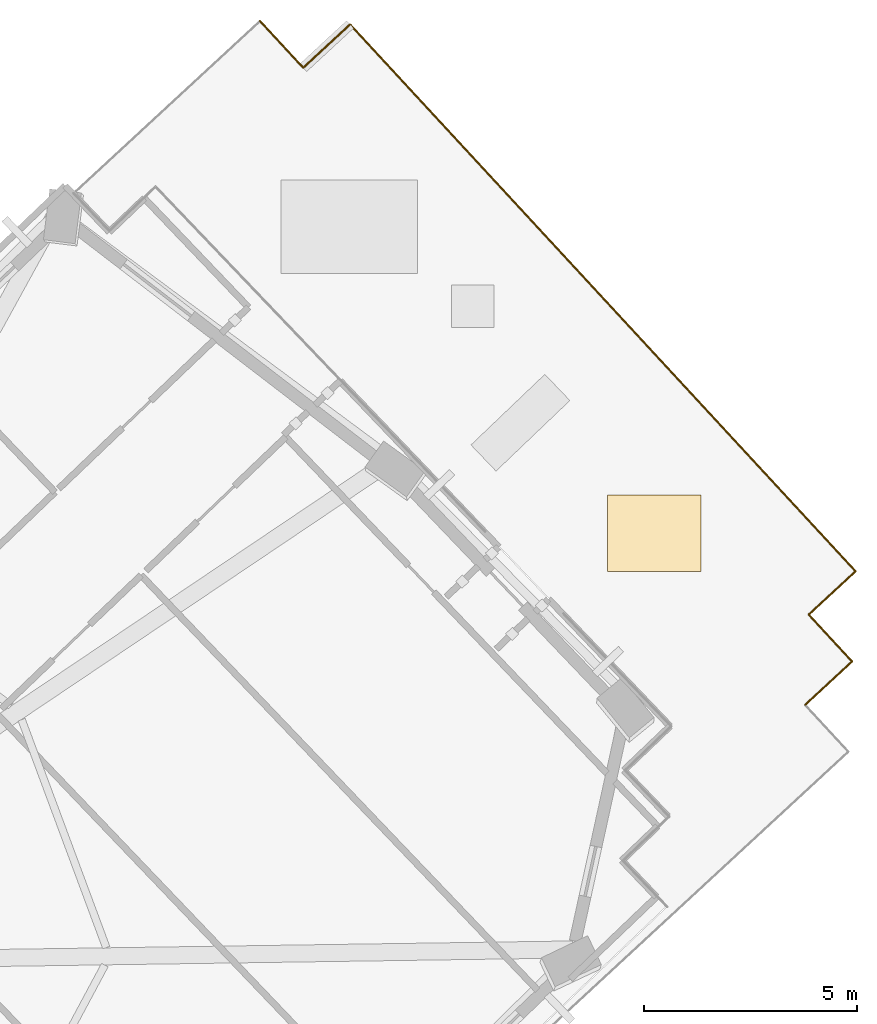
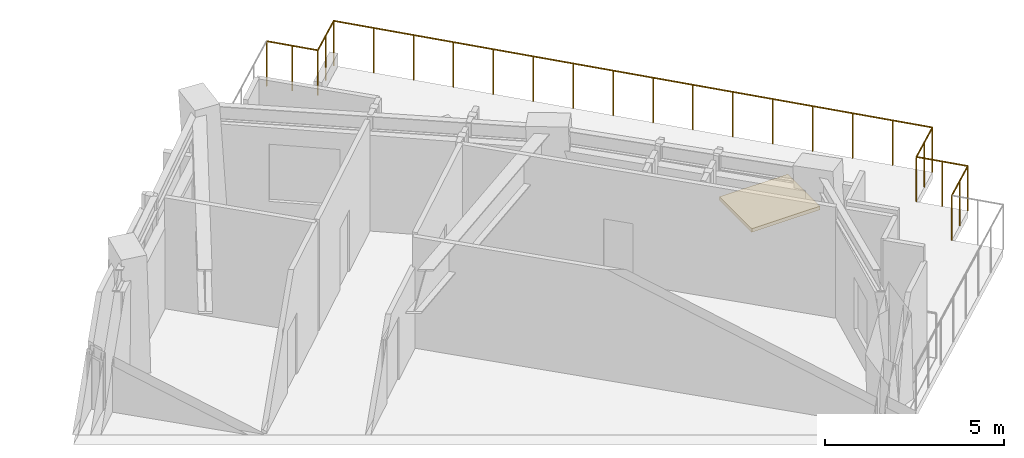
# One storey, part 17 of 17: 6 railings, 1 covering.
"""IFC4 building model written with IfcOpenShell, lengths in metres."""

from ifc_helpers import new_model, si_unit, direction, frame, origin, origin_2d, place, context, subcontext, project, spatial, rectangle, circle, extrude, material, layer, layer_set, type_object, element, save


model = new_model("IFC4")

# Units and contexts
model_context = context("Model", 3, precision=1e-05, world=origin(), true_north=direction((0.0, 1.0)))
body_context = subcontext(model_context, "Body", "Model", "MODEL_VIEW")
ifc_project = project(units=[si_unit("LENGTHUNIT", "METRE"), si_unit("AREAUNIT", "SQUARE_METRE"), si_unit("VOLUMEUNIT", "CUBIC_METRE"), si_unit("PLANEANGLEUNIT", "RADIAN"), si_unit("MASSUNIT", "GRAM", prefix="KILO")], contexts=[model_context])

# Site, building, storey
site_placement = place(None, origin())
site = spatial("IfcSite", under=ifc_project, at=site_placement, CompositionType="ELEMENT")
building_placement = place(site_placement, origin())
building = spatial("IfcBuilding", under=site, at=building_placement, Name="Gaonmaruhae Medical Tower", CompositionType="ELEMENT")
storey_placement = place(building_placement, frame((0.0, 0.0, 211.199951171875)))
storey = spatial("IfcBuildingStorey", under=building, at=storey_placement, Name="L50", CompositionType="ELEMENT", Elevation=211.199951171875)

# Railings
ifc_material_1 = material(Name="Stainless steel 316L and laminated safety glass", Category="steel")
ifc_layer_1 = layer(ifc_material_1, 0.080078125)
ifc_layer_set_1 = layer_set([ifc_layer_1], Name="Stainless steel 316L and laminated safety glass")
railing_type = type_object("IfcRailingType", Name="GD-155 Planter-Edge Raised Safety Balustrade", PredefinedType="BALUSTRADE", material=ifc_layer_set_1)
railing_1_placement = place(storey_placement, frame((51.095947265625, 37.841064453125, 0.0)))
element("IfcRailing", 1, at=railing_1_placement, inside=storey, type_object=railing_type, Name="L50 Terrace Safety Guard RL-SLB-L50-SKYG1-01", PredefinedType="BALUSTRADE", context=body_context, shape_type="SweptSolid", body=[
    extrude(circle(Radius=0.02392578125, at=origin_2d()), frame((0.0, 0.0, 1.52587890625), z_axis=(0.734391458886, 0.678726148837, 0.0), x_axis=(-0.678726148837, 0.734391458886, 0.0)), (0.0, 0.0, 1.0), 1.5),
    extrude(circle(Radius=0.02099609375, at=origin_2d()), origin(), (0.0, 0.0, 1.0), 1.501953125),
    extrude(circle(Radius=0.02099609375, at=origin_2d()), frame((0.55078125, 0.509033203125, 0.0)), (0.0, 0.0, 1.0), 1.501953125),
    extrude(circle(Radius=0.02099609375, at=origin_2d()), frame((1.1015625, 1.01806640625, 0.0)), (0.0, 0.0, 1.0), 1.501953125),
])
railing_2_placement = place(storey_placement, frame((52.197509765625, 38.859130859375, 0.0)))
element("IfcRailing", 2, at=railing_2_placement, inside=storey, type_object=railing_type, Name="L50 Terrace Safety Guard RL-SLB-L50-SKYG1-02", PredefinedType="BALUSTRADE", context=body_context, shape_type="SweptSolid", body=[
    extrude(circle(Radius=0.02392578125, at=origin_2d()), frame((0.0, 0.0, 1.52587890625), z_axis=(0.678799106174, -0.73432402484, 0.0), x_axis=(0.73432402484, 0.678799106174, 0.0)), (0.0, 0.0, 1.0), 17.5),
    extrude(circle(Radius=0.02099609375, at=origin_2d()), origin(), (0.0, 0.0, 1.0), 1.501953125),
    extrude(circle(Radius=0.02099609375, at=origin_2d()), frame((0.7919921875, -0.856689453125, 0.0)), (0.0, 0.0, 1.0), 1.501953125),
    extrude(circle(Radius=0.02099609375, at=origin_2d()), frame((1.583740234375, -1.71337890625, 0.0)), (0.0, 0.0, 1.0), 1.501953125),
    extrude(circle(Radius=0.02099609375, at=origin_2d()), frame((2.375732421875, -2.570068359375, 0.0)), (0.0, 0.0, 1.0), 1.501953125),
    extrude(circle(Radius=0.02099609375, at=origin_2d()), frame((3.167724609375, -3.4267578125, 0.0)), (0.0, 0.0, 1.0), 1.501953125),
    extrude(circle(Radius=0.02099609375, at=origin_2d()), frame((3.959716796875, -4.283447265625, 0.0)), (0.0, 0.0, 1.0), 1.501953125),
    extrude(circle(Radius=0.02099609375, at=origin_2d()), frame((4.75146484375, -5.14013671875, 0.0)), (0.0, 0.0, 1.0), 1.501953125),
    extrude(circle(Radius=0.02099609375, at=origin_2d()), frame((5.54345703125, -5.996826171875, 0.0)), (0.0, 0.0, 1.0), 1.501953125),
    extrude(circle(Radius=0.02099609375, at=origin_2d()), frame((6.33544921875, -6.853759765625, 0.0)), (0.0, 0.0, 1.0), 1.501953125),
    extrude(circle(Radius=0.02099609375, at=origin_2d()), frame((7.12744140625, -7.71044921875, 0.0)), (0.0, 0.0, 1.0), 1.501953125),
    extrude(circle(Radius=0.02099609375, at=origin_2d()), frame((7.919189453125, -8.567138671875, 0.0)), (0.0, 0.0, 1.0), 1.501953125),
    extrude(circle(Radius=0.02099609375, at=origin_2d()), frame((8.711181640625, -9.423828125, 0.0)), (0.0, 0.0, 1.0), 1.501953125),
    extrude(circle(Radius=0.02099609375, at=origin_2d()), frame((9.503173828125, -10.280517578125, 0.0)), (0.0, 0.0, 1.0), 1.501953125),
    extrude(circle(Radius=0.02099609375, at=origin_2d()), frame((10.295166015625, -11.13720703125, 0.0)), (0.0, 0.0, 1.0), 1.501953125),
    extrude(circle(Radius=0.02099609375, at=origin_2d()), frame((11.0869140625, -11.993896484375, 0.0)), (0.0, 0.0, 1.0), 1.501953125),
    extrude(circle(Radius=0.02099609375, at=origin_2d()), frame((11.87890625, -12.8505859375, 0.0)), (0.0, 0.0, 1.0), 1.501953125),
])
railing_3_placement = place(storey_placement, frame((64.076416015625, 26.008544921875, 0.0)))
element("IfcRailing", 3, at=railing_3_placement, inside=storey, type_object=railing_type, Name="L50 Terrace Safety Guard RL-SLB-L50-SKYG1-03", PredefinedType="BALUSTRADE", context=body_context, shape_type="SweptSolid", body=[
    extrude(circle(Radius=0.02392578125, at=origin_2d()), frame((0.0, 0.0, 1.52587890625), z_axis=(-0.734316465051, -0.678807284253, 0.0), x_axis=(0.678807284253, -0.734316465051, 0.0)), (0.0, 0.0, 1.0), 1.499755859375),
    extrude(circle(Radius=0.02099609375, at=origin_2d()), origin(), (0.0, 0.0, 1.0), 1.501953125),
    extrude(circle(Radius=0.02099609375, at=origin_2d()), frame((-0.55078125, -0.509033203125, 0.0)), (0.0, 0.0, 1.0), 1.501953125),
    extrude(circle(Radius=0.02099609375, at=origin_2d()), frame((-1.101318359375, -1.01806640625, 0.0)), (0.0, 0.0, 1.0), 1.501953125),
])
railing_4_placement = place(storey_placement, frame((62.97509765625, 24.990478515625, 0.0)))
element("IfcRailing", 4, at=railing_4_placement, inside=storey, type_object=railing_type, Name="L50 Terrace Safety Guard RL-SLB-L50-SKYG1-04", PredefinedType="BALUSTRADE", context=body_context, shape_type="SweptSolid", body=[
    extrude(circle(Radius=0.02392578125, at=origin_2d()), frame((0.0, 0.0, 1.52587890625), z_axis=(0.678813917968, -0.734310332743, 0.0), x_axis=(0.734310332743, 0.678813917968, 0.0)), (0.0, 0.0, 1.0), 1.500244140625),
    extrude(circle(Radius=0.02099609375, at=origin_2d()), origin(), (0.0, 0.0, 1.0), 1.501953125),
    extrude(circle(Radius=0.02099609375, at=origin_2d()), frame((0.50927734375, -0.55078125, 0.0)), (0.0, 0.0, 1.0), 1.501953125),
    extrude(circle(Radius=0.02099609375, at=origin_2d()), frame((1.018310546875, -1.1015625, 0.0)), (0.0, 0.0, 1.0), 1.501953125),
])
railing_5_placement = place(storey_placement, frame((63.993408203125, 23.888916015625, 0.0)))
element("IfcRailing", 5, at=railing_5_placement, inside=storey, type_object=railing_type, Name="L50 Terrace Safety Guard RL-SLB-L50-SKYG1-05", PredefinedType="BALUSTRADE", context=body_context, shape_type="SweptSolid", body=[
    extrude(circle(Radius=0.02392578125, at=origin_2d()), frame((0.0, 0.0, 1.52587890625), z_axis=(-0.734310332743, -0.678813917968, 0.0), x_axis=(0.678813917968, -0.734310332743, 0.0)), (0.0, 0.0, 1.0), 1.500244140625),
    extrude(circle(Radius=0.02099609375, at=origin_2d()), origin(), (0.0, 0.0, 1.0), 1.501953125),
    extrude(circle(Radius=0.02099609375, at=origin_2d()), frame((-0.55078125, -0.50927734375, 0.0)), (0.0, 0.0, 1.0), 1.501953125),
    extrude(circle(Radius=0.02099609375, at=origin_2d()), frame((-1.1015625, -1.018310546875, 0.0)), (0.0, 0.0, 1.0), 1.501953125),
])
railing_6_placement = place(storey_placement, frame((50.077880859375, 38.9423828125, 0.0)))
element("IfcRailing", 6, at=railing_6_placement, inside=storey, type_object=railing_type, Name="L50 Terrace Safety Guard RL-SLB-L50-SKYG1-17", PredefinedType="BALUSTRADE", context=body_context, shape_type="SweptSolid", body=[
    extrude(circle(Radius=0.02392578125, at=origin_2d()), frame((0.0, 0.0, 1.52587890625), z_axis=(0.678807284253, -0.734316465051, 0.0), x_axis=(0.734316465051, 0.678807284253, 0.0)), (0.0, 0.0, 1.0), 1.499755859375),
    extrude(circle(Radius=0.02099609375, at=origin_2d()), origin(), (0.0, 0.0, 1.0), 1.501953125),
    extrude(circle(Radius=0.02099609375, at=origin_2d()), frame((0.509033203125, -0.55078125, 0.0)), (0.0, 0.0, 1.0), 1.501953125),
    extrude(circle(Radius=0.02099609375, at=origin_2d()), frame((1.01806640625, -1.101318359375, 0.0)), (0.0, 0.0, 1.0), 1.501953125),
])

# Covering
ifc_material_2 = material(Name="EPDM insulated roofing membrane", Category="membrane")
ifc_layer_2 = layer(ifc_material_2, 0.1201171875)
ifc_layer_set_2 = layer_set([ifc_layer_2], Name="EPDM insulated roofing membrane")
covering_type = type_object("IfcCoveringType", Name="RFG-01 Insulated EPDM Waterproof Roofing Membrane", PredefinedType="ROOFING", material=ifc_layer_set_2)
covering_placement = place(storey_placement, frame((59.347412109375, 26.8984375, 0.0), z_axis=(0.0, 0.0, 1.0), x_axis=(1.0, 0.0, 0.0)))
element("IfcCovering", 7, at=covering_placement, inside=storey, type_object=covering_type, Name="L50 Terrace Waterproofing Membrane SLB-L50-SKYG1", PredefinedType="ROOFING", context=body_context, shape_type="SweptSolid", body=[
    extrude(rectangle(XDim=2.199951171875, YDim=1.800048828125, at=origin_2d()), origin(), (0.0, 0.0, 1.0), 0.1201171875),
])

save(model, "model.ifc")
